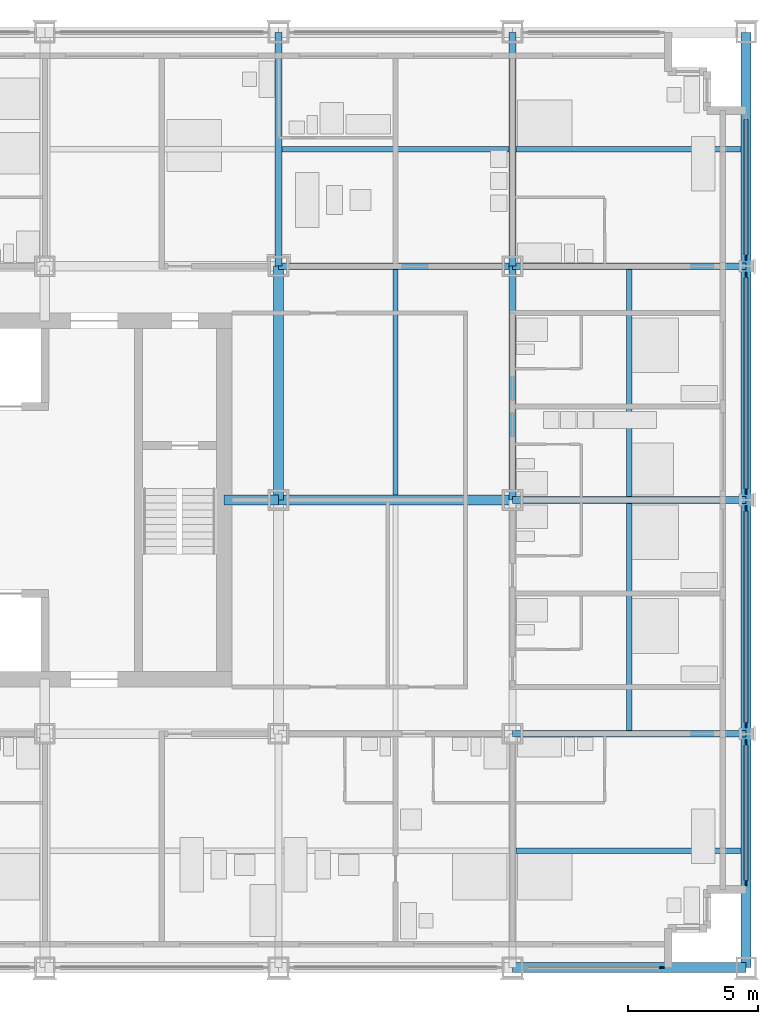
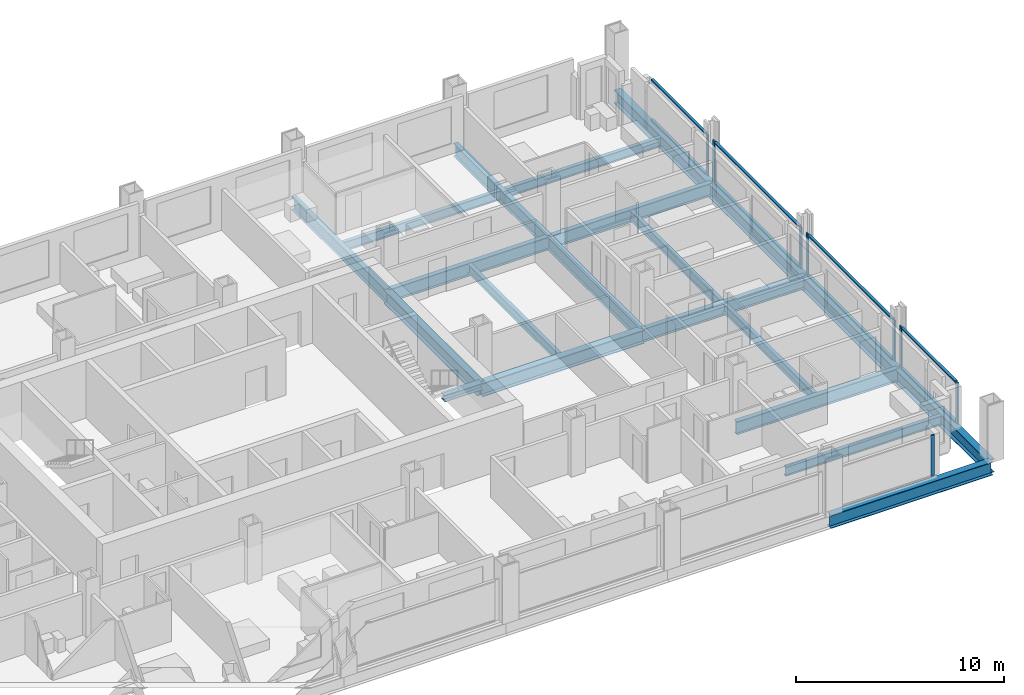
# One storey, part 6 of 18: 20 beams, 17 members, 5 elements without a shape of their own.
"""IFC4 building model written with IfcOpenShell, lengths in metres."""

from ifc_helpers import new_model, si_unit, direction, frame, origin, origin_2d, place, context, subcontext, project, spatial, rectangle, i_section, extrude, material, material_profile, profile_set, type_object, element, aggregate, save


model = new_model("IFC4")

# Units and contexts
model_context = context("Model", 3, precision=1e-05, world=origin(), true_north=direction((0.0, 1.0)))
body_context = subcontext(model_context, "Body", "Model", "MODEL_VIEW")
ifc_project = project(units=[si_unit("LENGTHUNIT", "METRE"), si_unit("AREAUNIT", "SQUARE_METRE"), si_unit("VOLUMEUNIT", "CUBIC_METRE"), si_unit("PLANEANGLEUNIT", "RADIAN"), si_unit("MASSUNIT", "GRAM", prefix="KILO")], contexts=[model_context])

# Site, building, storey
site_placement = place(None, origin())
site = spatial("IfcSite", under=ifc_project, at=site_placement, CompositionType="ELEMENT")
building_placement = place(site_placement, origin())
building = spatial("IfcBuilding", under=site, at=building_placement, Name="Loomwork Tower", CompositionType="ELEMENT")
storey_placement = place(building_placement, frame((0.0, 0.0, 58.60009765625)))
storey = spatial("IfcBuildingStorey", under=building, at=storey_placement, Name="L14", CompositionType="ELEMENT", Elevation=58.60009765625)

# Beams
ifc_material_1 = material(Name="Steel ASTM A992", Category="steel")
ifc_material_profile_1 = material_profile(ifc_material_1, i_section(OverallWidth=0.383544921875, OverallDepth=0.794921875, WebThickness=0.02099609375, FlangeThickness=0.0380859375, at=origin_2d()), Name="W30x235")
ifc_profile_set_1 = profile_set([ifc_material_profile_1], Name="Steel ASTM A992")
beam_type_1 = type_object("IfcBeamType", Name="CORE FLANK GIRDER W30x235", PredefinedType="BEAM", material=ifc_profile_set_1)
for number, where, z_axis, x_axis, name in (
    (1, (36.0, 18.0, -0.59765625), (1.0, 0.0, 0.0), (0.0, 1.0, 0.0), "Core Flank Girder F/6-F/7 L14"),
    (2, (36.0, 18.0, -0.59765625), (0.0, 1.0, 0.0), (-1.0, 0.0, 0.0), "Core Flank Girder F/6-G/6 L14"),
):
    element("IfcBeam", number, at=place(storey_placement, frame(where, z_axis=z_axis, x_axis=x_axis)), inside=storey, type_object=beam_type_1, Name=name, PredefinedType="BEAM", context=body_context, shape_type="SweptSolid", body=[
        extrude(i_section(OverallWidth=0.383544921875, OverallDepth=0.794921875, WebThickness=0.02099609375, FlangeThickness=0.0380859375, at=origin_2d()), origin(), (0.0, 0.0, 1.0), 9.0),
    ])

# Member
ifc_material_2 = material(Name="Steel ASTM A992", Category="steel")
ifc_material_profile_2 = material_profile(ifc_material_2, i_section(OverallWidth=0.373291015625, OverallDepth=0.373291015625, WebThickness=0.016357421875, FlangeThickness=0.026123046875, at=origin_2d()), Name="W14x132")
ifc_profile_set_2 = profile_set([ifc_material_profile_2], Name="Steel ASTM A992")
member_type_1 = type_object("IfcMemberType", Name="CORE LINK STRUT W14x132", PredefinedType="STRUT", material=ifc_profile_set_2)
member_1_placement = place(storey_placement, frame((36.0, 18.0, -0.38671875), z_axis=(-1.0, 0.0, 0.0), x_axis=(0.0, -1.0, 0.0)))
element("IfcMember", 3, at=member_1_placement, inside=storey, type_object=member_type_1, Name="Core link strut F/6-33.900,18.000 L14", PredefinedType="STRUT", context=body_context, shape_type="SweptSolid", body=[
    extrude(i_section(OverallWidth=0.373291015625, OverallDepth=0.373291015625, WebThickness=0.016357421875, FlangeThickness=0.026123046875, at=origin_2d()), origin(), (0.0, 0.0, 1.0), 2.10009765625),
])

# Beams
ifc_material_3 = material(Name="Steel ASTM A992", Category="steel")
ifc_material_profile_3 = material_profile(ifc_material_3, i_section(OverallWidth=0.2666015625, OverallDepth=0.761962890625, WebThickness=0.014404296875, FlangeThickness=0.021484375, at=origin_2d()), Name="W30x116")
ifc_profile_set_3 = profile_set([ifc_material_profile_3], Name="Steel ASTM A992")
beam_type_2 = type_object("IfcBeamType", Name="FLOOR GIRDER W30x116", PredefinedType="BEAM", material=ifc_profile_set_3)
for number, where, z_axis, x_axis, name in (
    (4, (45.0, 9.0, -0.5810546875), (1.0, 0.0, 0.0), (0.0, 1.0, 0.0), "Floor Girder E/7-E/8 L14"),
    (5, (45.0, 18.0, -0.5810546875), (1.0, 0.0, 0.0), (0.0, 1.0, 0.0), "Floor Girder F/7-F/8 L14"),
    (6, (36.0, 27.0, -0.5810546875), (1.0, 0.0, 0.0), (0.0, 1.0, 0.0), "Floor Girder G/6-G/7 L14"),
    (7, (45.0, 27.0, -0.5810546875), (1.0, 0.0, 0.0), (0.0, 1.0, 0.0), "Floor Girder G/7-G/8 L14"),
    (8, (36.0, 27.0, -0.5810546875), (0.0, 1.0, 0.0), (-1.0, 0.0, 0.0), "Floor Girder G/6-H/6 L14"),
    (9, (45.0, 18.0, -0.5810546875), (0.0, 1.0, 0.0), (-1.0, 0.0, 0.0), "Floor Girder F/7-G/7 L14"),
    (10, (45.0, 27.0, -0.5810546875), (0.0, 1.0, 0.0), (-1.0, 0.0, 0.0), "Floor Girder G/7-H/7 L14"),
):
    element("IfcBeam", number, at=place(storey_placement, frame(where, z_axis=z_axis, x_axis=x_axis)), inside=storey, type_object=beam_type_2, Name=name, PredefinedType="BEAM", context=body_context, shape_type="SweptSolid", body=[
        extrude(i_section(OverallWidth=0.2666015625, OverallDepth=0.761962890625, WebThickness=0.014404296875, FlangeThickness=0.021484375, at=origin_2d()), origin(), (0.0, 0.0, 1.0), 9.0),
    ])
ifc_material_4 = material(Name="Steel ASTM A992", Category="steel")
ifc_material_profile_4 = material_profile(ifc_material_4, i_section(OverallWidth=0.2109375, OverallDepth=0.53857421875, WebThickness=0.011474609375, FlangeThickness=0.018798828125, at=origin_2d()), Name="W21x73")
ifc_profile_set_4 = profile_set([ifc_material_profile_4], Name="Steel ASTM A992")
beam_type_3 = type_object("IfcBeamType", Name="FLOOR JOIST W21x73", PredefinedType="JOIST", material=ifc_profile_set_4)
beam_1_placement = place(storey_placement, frame((40.5, 18.19091796875, -0.46923828125), z_axis=(0.0, 1.0, 0.0), x_axis=(-1.0, 0.0, 0.0)))
element("IfcBeam", 11, at=beam_1_placement, inside=storey, type_object=beam_type_3, Name="Floor Joist 40.500,18.000-40.500,27.000 L14", PredefinedType="JOIST", context=body_context, shape_type="SweptSolid", body=[
    extrude(i_section(OverallWidth=0.2109375, OverallDepth=0.53857421875, WebThickness=0.011474609375, FlangeThickness=0.018798828125, at=origin_2d()), origin(), (0.0, 0.0, 1.0), 8.676025390625),
])
beam_2_placement = place(storey_placement, frame((36.133056640625, 31.5, -0.46923828125), z_axis=(1.0, 0.0, 0.0), x_axis=(0.0, 1.0, 0.0)))
element("IfcBeam", 12, at=beam_2_placement, inside=storey, type_object=beam_type_3, Name="Floor Joist 36.000,31.500-45.000,31.500 L14", PredefinedType="JOIST", context=body_context, shape_type="SweptSolid", body=[
    extrude(i_section(OverallWidth=0.2109375, OverallDepth=0.53857421875, WebThickness=0.011474609375, FlangeThickness=0.018798828125, at=origin_2d()), origin(), (0.0, 0.0, 1.0), 8.73388671875),
])
beam_3_placement = place(storey_placement, frame((45.133056640625, 4.5, -0.46923828125), z_axis=(1.0, 0.0, 0.0), x_axis=(0.0, 1.0, 0.0)))
element("IfcBeam", 13, at=beam_3_placement, inside=storey, type_object=beam_type_3, Name="Floor Joist 45.000,4.500-54.000,4.500 L14", PredefinedType="JOIST", context=body_context, shape_type="SweptSolid", body=[
    extrude(i_section(OverallWidth=0.2109375, OverallDepth=0.53857421875, WebThickness=0.011474609375, FlangeThickness=0.018798828125, at=origin_2d()), origin(), (0.0, 0.0, 1.0), 8.677001953125),
])
for number, where, z_axis, x_axis, name in (
    (14, (49.5, 9.133056640625, -0.46923828125), (0.0, 1.0, 0.0), (-1.0, 0.0, 0.0), "Floor Joist 49.500,9.000-49.500,18.000 L14"),
    (15, (49.5, 18.133056640625, -0.46923828125), (0.0, 1.0, 0.0), (-1.0, 0.0, 0.0), "Floor Joist 49.500,18.000-49.500,27.000 L14"),
):
    element("IfcBeam", number, at=place(storey_placement, frame(where, z_axis=z_axis, x_axis=x_axis)), inside=storey, type_object=beam_type_3, Name=name, PredefinedType="JOIST", context=body_context, shape_type="SweptSolid", body=[
        extrude(i_section(OverallWidth=0.2109375, OverallDepth=0.53857421875, WebThickness=0.011474609375, FlangeThickness=0.018798828125, at=origin_2d()), origin(), (0.0, 0.0, 1.0), 8.73388671875),
    ])
beam_4_placement = place(storey_placement, frame((45.133056640625, 31.5, -0.46923828125), z_axis=(1.0, 0.0, 0.0), x_axis=(0.0, 1.0, 0.0)))
element("IfcBeam", 16, at=beam_4_placement, inside=storey, type_object=beam_type_3, Name="Floor Joist 45.000,31.500-54.000,31.500 L14", PredefinedType="JOIST", context=body_context, shape_type="SweptSolid", body=[
    extrude(i_section(OverallWidth=0.2109375, OverallDepth=0.53857421875, WebThickness=0.011474609375, FlangeThickness=0.018798828125, at=origin_2d()), origin(), (0.0, 0.0, 1.0), 8.677001953125),
])

# Curtain wall, member
ifc_material_5 = material(Name="Aluminium curtain wall frame", Category="aluminium")
curtain_wall_type = type_object("IfcCurtainWallType", Name="Outer skin glazing hotel", PredefinedType="NOTDEFINED", material=ifc_material_5)
curtain_wall_1_placement = place(storey_placement, origin())
curtain_wall_1 = element("IfcCurtainWall", 17, at=curtain_wall_1_placement, inside=storey, type_object=curtain_wall_type, Name="Outer skin glazing hotel cw/S-45", PredefinedType="NOTDEFINED")
ifc_material_6 = material(Name="Aluminium curtain wall frame", Category="aluminium")
ifc_material_profile_5 = material_profile(ifc_material_6, rectangle(XDim=0.06494140625, YDim=0.199951171875, at=origin_2d()), Name="AL 65x200")
ifc_profile_set_5 = profile_set([ifc_material_profile_5], Name="Aluminium curtain wall frame")
member_type_2 = type_object("IfcMemberType", Name="Outer skin glazing hotel mullion", PredefinedType="MULLION", material=ifc_profile_set_5)
member_2_placement = place(storey_placement, frame((50.75, 0.0, 0.0), z_axis=(0.0, 0.0, 1.0), x_axis=(0.0, 1.0, 0.0)))
member_2 = element("IfcMember", 18, at=member_2_placement, type_object=member_type_2, Name="CW1 mullion 2", PredefinedType="MULLION", context=body_context, shape_type="SweptSolid", body=[
    extrude(rectangle(XDim=0.06494140625, YDim=0.199951171875, at=origin_2d()), origin(), (0.0, 0.0, 1.0), 2.420166015625),
])
aggregate(curtain_wall_1, [member_2])

# Curtain wall, members
curtain_wall_2_placement = place(storey_placement, origin())
curtain_wall_2 = element("IfcCurtainWall", 19, at=curtain_wall_2_placement, inside=storey, type_object=curtain_wall_type, Name="Outer skin glazing hotel cw/E-0", PredefinedType="NOTDEFINED")
member_3_placement = place(storey_placement, frame((54.0, 3.25, 0.0), z_axis=(0.0, 0.0, 1.0), x_axis=(-1.0, 0.0, 0.0)))
member_3 = element("IfcMember", 20, at=member_3_placement, type_object=member_type_2, Name="CW1 mullion 1", PredefinedType="MULLION", context=body_context, shape_type="SweptSolid", body=[
    extrude(rectangle(XDim=0.06494140625, YDim=0.199951171875, at=origin_2d()), origin(), (0.0, 0.0, 1.0), 2.420166015625),
])
member_4_placement = place(storey_placement, frame((54.0, 8.672607421875, 0.0), z_axis=(0.0, 0.0, 1.0), x_axis=(-1.0, 0.0, 0.0)))
member_4 = element("IfcMember", 21, at=member_4_placement, type_object=member_type_2, Name="CW1 mullion 2", PredefinedType="MULLION", context=body_context, shape_type="SweptSolid", body=[
    extrude(rectangle(XDim=0.06494140625, YDim=0.199951171875, at=origin_2d()), origin(), (0.0, 0.0, 1.0), 2.420166015625),
])

curtain_wall_3_placement = place(storey_placement, origin())
curtain_wall_3 = element("IfcCurtainWall", 22, at=curtain_wall_3_placement, inside=storey, type_object=curtain_wall_type, Name="Outer skin glazing hotel cw/E-9", PredefinedType="NOTDEFINED")
member_5_placement = place(storey_placement, frame((54.0, 9.327392578125, 0.0), z_axis=(0.0, 0.0, 1.0), x_axis=(-1.0, 0.0, 0.0)))
member_5 = element("IfcMember", 23, at=member_5_placement, type_object=member_type_2, Name="CW1 mullion 1", PredefinedType="MULLION", context=body_context, shape_type="SweptSolid", body=[
    extrude(rectangle(XDim=0.06494140625, YDim=0.199951171875, at=origin_2d()), origin(), (0.0, 0.0, 1.0), 2.420166015625),
])
member_6_placement = place(storey_placement, frame((54.0, 17.672607421875, 0.0), z_axis=(0.0, 0.0, 1.0), x_axis=(-1.0, 0.0, 0.0)))
member_6 = element("IfcMember", 24, at=member_6_placement, type_object=member_type_2, Name="CW1 mullion 2", PredefinedType="MULLION", context=body_context, shape_type="SweptSolid", body=[
    extrude(rectangle(XDim=0.06494140625, YDim=0.199951171875, at=origin_2d()), origin(), (0.0, 0.0, 1.0), 2.420166015625),
])

curtain_wall_4_placement = place(storey_placement, origin())
curtain_wall_4 = element("IfcCurtainWall", 25, at=curtain_wall_4_placement, inside=storey, type_object=curtain_wall_type, Name="Outer skin glazing hotel cw/E-18", PredefinedType="NOTDEFINED")
member_7_placement = place(storey_placement, frame((54.0, 18.327392578125, 0.0), z_axis=(0.0, 0.0, 1.0), x_axis=(-1.0, 0.0, 0.0)))
member_7 = element("IfcMember", 26, at=member_7_placement, type_object=member_type_2, Name="CW1 mullion 1", PredefinedType="MULLION", context=body_context, shape_type="SweptSolid", body=[
    extrude(rectangle(XDim=0.06494140625, YDim=0.199951171875, at=origin_2d()), origin(), (0.0, 0.0, 1.0), 2.420166015625),
])
member_8_placement = place(storey_placement, frame((54.0, 26.672607421875, 0.0), z_axis=(0.0, 0.0, 1.0), x_axis=(-1.0, 0.0, 0.0)))
member_8 = element("IfcMember", 27, at=member_8_placement, type_object=member_type_2, Name="CW1 mullion 2", PredefinedType="MULLION", context=body_context, shape_type="SweptSolid", body=[
    extrude(rectangle(XDim=0.06494140625, YDim=0.199951171875, at=origin_2d()), origin(), (0.0, 0.0, 1.0), 2.420166015625),
])

# Curtain wall, member
curtain_wall_5_placement = place(storey_placement, origin())
curtain_wall_5 = element("IfcCurtainWall", 28, at=curtain_wall_5_placement, inside=storey, type_object=curtain_wall_type, Name="Outer skin glazing hotel cw/E-27", PredefinedType="NOTDEFINED")
member_9_placement = place(storey_placement, frame((54.0, 27.327392578125, 0.0), z_axis=(0.0, 0.0, 1.0), x_axis=(-1.0, 0.0, 0.0)))
member_9 = element("IfcMember", 29, at=member_9_placement, type_object=member_type_2, Name="CW1 mullion 1", PredefinedType="MULLION", context=body_context, shape_type="SweptSolid", body=[
    extrude(rectangle(XDim=0.06494140625, YDim=0.199951171875, at=origin_2d()), origin(), (0.0, 0.0, 1.0), 2.420166015625),
])

# Member
ifc_material_7 = material(Name="Aluminium curtain wall frame", Category="aluminium")
ifc_material_profile_6 = material_profile(ifc_material_7, rectangle(XDim=0.14990234375, YDim=0.06494140625, at=origin_2d()), Name="AL 65x150")
ifc_profile_set_6 = profile_set([ifc_material_profile_6], Name="Aluminium curtain wall frame")
member_type_3 = type_object("IfcMemberType", Name="Outer skin glazing hotel transom", PredefinedType="USERDEFINED", material=ifc_profile_set_6)
member_10_placement = place(storey_placement, frame((54.0, 3.35009765625, 0.032470703125), z_axis=(0.0, 1.0, 0.0), x_axis=(-1.0, 0.0, 0.0)))
member_10 = element("IfcMember", 30, at=member_10_placement, type_object=member_type_3, Name="CW1 transom 1.1", ObjectType="TRANSOM", PredefinedType="USERDEFINED", context=body_context, shape_type="SweptSolid", body=[
    extrude(rectangle(XDim=0.14990234375, YDim=0.06494140625, at=origin_2d()), origin(), (0.0, 0.0, 1.0), 5.22265625),
])

member_11_placement = place(storey_placement, frame((54.0, 3.35009765625, 2.3876953125), z_axis=(0.0, 1.0, 0.0), x_axis=(-1.0, 0.0, 0.0)))
member_11 = element("IfcMember", 31, at=member_11_placement, type_object=member_type_3, Name="CW1 transom 1.2", ObjectType="TRANSOM", PredefinedType="USERDEFINED", context=body_context, shape_type="SweptSolid", body=[
    extrude(rectangle(XDim=0.14990234375, YDim=0.06494140625, at=origin_2d()), origin(), (0.0, 0.0, 1.0), 5.22265625),
])

aggregate(curtain_wall_2, [member_3, member_4, member_10, member_11])

member_12_placement = place(storey_placement, frame((54.0, 9.42724609375, 0.032470703125), z_axis=(0.0, 1.0, 0.0), x_axis=(-1.0, 0.0, 0.0)))
member_12 = element("IfcMember", 32, at=member_12_placement, type_object=member_type_3, Name="CW1 transom 1.1", ObjectType="TRANSOM", PredefinedType="USERDEFINED", context=body_context, shape_type="SweptSolid", body=[
    extrude(rectangle(XDim=0.14990234375, YDim=0.06494140625, at=origin_2d()), origin(), (0.0, 0.0, 1.0), 8.1455078125),
])

member_13_placement = place(storey_placement, frame((54.0, 9.42724609375, 2.3876953125), z_axis=(0.0, 1.0, 0.0), x_axis=(-1.0, 0.0, 0.0)))
member_13 = element("IfcMember", 33, at=member_13_placement, type_object=member_type_3, Name="CW1 transom 1.2", ObjectType="TRANSOM", PredefinedType="USERDEFINED", context=body_context, shape_type="SweptSolid", body=[
    extrude(rectangle(XDim=0.14990234375, YDim=0.06494140625, at=origin_2d()), origin(), (0.0, 0.0, 1.0), 8.1455078125),
])

aggregate(curtain_wall_3, [member_5, member_6, member_12, member_13])

member_14_placement = place(storey_placement, frame((54.0, 18.42724609375, 0.032470703125), z_axis=(0.0, 1.0, 0.0), x_axis=(-1.0, 0.0, 0.0)))
member_14 = element("IfcMember", 34, at=member_14_placement, type_object=member_type_3, Name="CW1 transom 1.1", ObjectType="TRANSOM", PredefinedType="USERDEFINED", context=body_context, shape_type="SweptSolid", body=[
    extrude(rectangle(XDim=0.14990234375, YDim=0.06494140625, at=origin_2d()), origin(), (0.0, 0.0, 1.0), 8.1455078125),
])

member_15_placement = place(storey_placement, frame((54.0, 18.42724609375, 2.3876953125), z_axis=(0.0, 1.0, 0.0), x_axis=(-1.0, 0.0, 0.0)))
member_15 = element("IfcMember", 35, at=member_15_placement, type_object=member_type_3, Name="CW1 transom 1.2", ObjectType="TRANSOM", PredefinedType="USERDEFINED", context=body_context, shape_type="SweptSolid", body=[
    extrude(rectangle(XDim=0.14990234375, YDim=0.06494140625, at=origin_2d()), origin(), (0.0, 0.0, 1.0), 8.1455078125),
])

aggregate(curtain_wall_4, [member_7, member_8, member_14, member_15])

member_16_placement = place(storey_placement, frame((54.0, 27.42724609375, 0.032470703125), z_axis=(0.0, 1.0, 0.0), x_axis=(-1.0, 0.0, 0.0)))
member_16 = element("IfcMember", 36, at=member_16_placement, type_object=member_type_3, Name="CW1 transom 1.1", ObjectType="TRANSOM", PredefinedType="USERDEFINED", context=body_context, shape_type="SweptSolid", body=[
    extrude(rectangle(XDim=0.14990234375, YDim=0.06494140625, at=origin_2d()), origin(), (0.0, 0.0, 1.0), 5.22265625),
])

member_17_placement = place(storey_placement, frame((54.0, 27.42724609375, 2.3876953125), z_axis=(0.0, 1.0, 0.0), x_axis=(-1.0, 0.0, 0.0)))
member_17 = element("IfcMember", 37, at=member_17_placement, type_object=member_type_3, Name="CW1 transom 1.2", ObjectType="TRANSOM", PredefinedType="USERDEFINED", context=body_context, shape_type="SweptSolid", body=[
    extrude(rectangle(XDim=0.14990234375, YDim=0.06494140625, at=origin_2d()), origin(), (0.0, 0.0, 1.0), 5.22265625),
])

aggregate(curtain_wall_5, [member_9, member_16, member_17])

# Beams
ifc_material_8 = material(Name="Steel ASTM A992", Category="steel")
ifc_material_profile_7 = material_profile(ifc_material_8, i_section(OverallWidth=0.381103515625, OverallDepth=0.77978515625, WebThickness=0.01806640625, FlangeThickness=0.0302734375, at=origin_2d()), Name="W30x191")
ifc_profile_set_7 = profile_set([ifc_material_profile_7], Name="Steel ASTM A992")
beam_type_4 = type_object("IfcBeamType", Name="SPANDREL GIRDER W30x191", PredefinedType="SPANDREL", material=ifc_profile_set_7)
for number, where, z_axis, x_axis, name in (
    (38, (45.0, 0.0, -0.590087890625), (1.0, 0.0, 0.0), (0.0, 1.0, 0.0), "Spandrel Girder D/7-D/8 L14"),
    (39, (54.0, 0.0, -0.590087890625), (0.0, 1.0, 0.0), (-1.0, 0.0, 0.0), "Spandrel Girder D/8-E/8 L14"),
    (40, (54.0, 9.0, -0.590087890625), (0.0, 1.0, 0.0), (-1.0, 0.0, 0.0), "Spandrel Girder E/8-F/8 L14"),
    (41, (54.0, 18.0, -0.590087890625), (0.0, 1.0, 0.0), (-1.0, 0.0, 0.0), "Spandrel Girder F/8-G/8 L14"),
    (42, (54.0, 27.0, -0.590087890625), (0.0, 1.0, 0.0), (-1.0, 0.0, 0.0), "Spandrel Girder G/8-H/8 L14"),
):
    element("IfcBeam", number, at=place(storey_placement, frame(where, z_axis=z_axis, x_axis=x_axis)), inside=storey, type_object=beam_type_4, Name=name, PredefinedType="SPANDREL", context=body_context, shape_type="SweptSolid", body=[
        extrude(i_section(OverallWidth=0.381103515625, OverallDepth=0.77978515625, WebThickness=0.01806640625, FlangeThickness=0.0302734375, at=origin_2d()), origin(), (0.0, 0.0, 1.0), 9.0),
    ])

save(model, "model.ifc")
